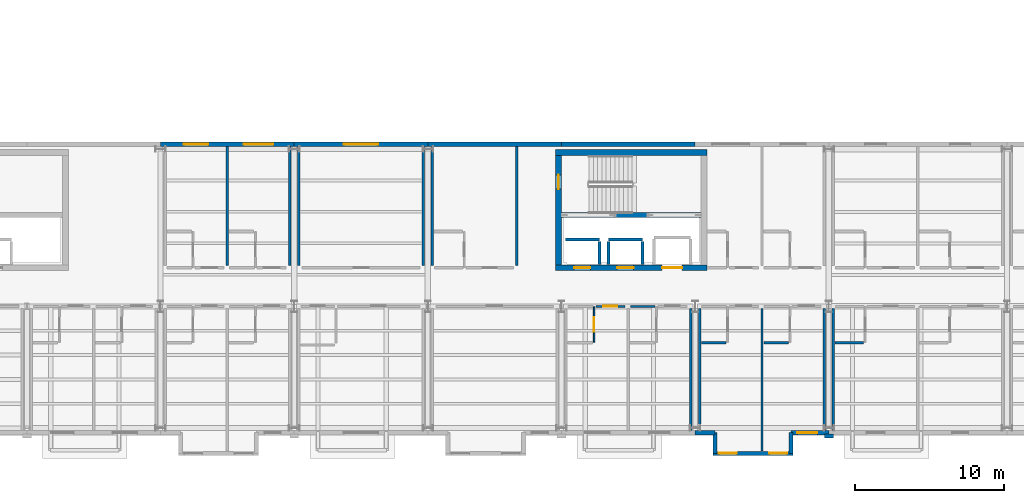
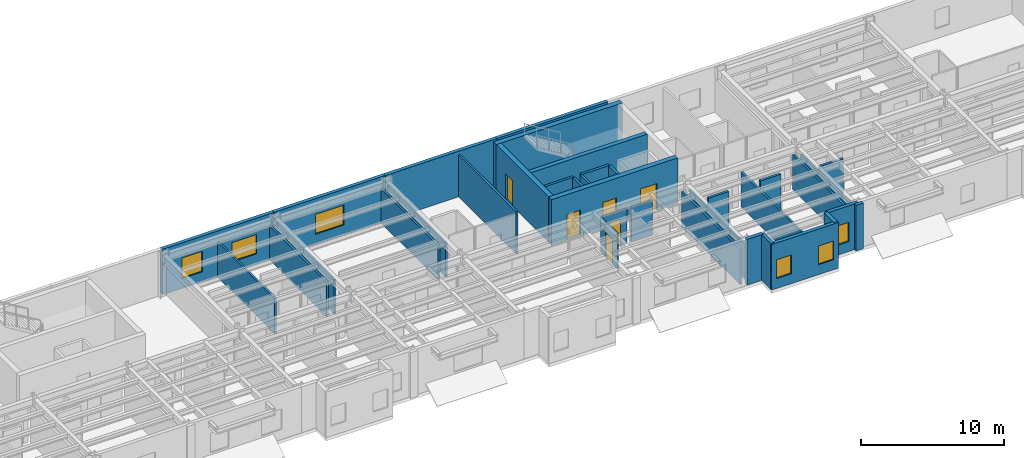
# One storey, part 29 of 46: 36 walls, 6 doors, 6 windows, 12 openings.
"""IFC4 building model written with IfcOpenShell, lengths in metres."""

from ifc_helpers import new_model, si_unit, direction, frame, frame_2d, origin, place, context, subcontext, project, spatial, rectangle, extrude, material, layer, layer_set, type_object, element, fill, save


model = new_model("IFC4")

# Units and contexts
model_context = context("Model", 3, precision=1e-05, world=origin(), true_north=direction((0.0, 1.0)))
body_context = subcontext(model_context, "Body", "Model", "MODEL_VIEW")
ifc_project = project(units=[si_unit("LENGTHUNIT", "METRE"), si_unit("AREAUNIT", "SQUARE_METRE"), si_unit("VOLUMEUNIT", "CUBIC_METRE"), si_unit("PLANEANGLEUNIT", "RADIAN"), si_unit("MASSUNIT", "GRAM", prefix="KILO")], contexts=[model_context])

# Site, building, storey
site_placement = place(None, origin())
site = spatial("IfcSite", under=ifc_project, at=site_placement, CompositionType="ELEMENT")
building_placement = place(site_placement, origin())
building = spatial("IfcBuilding", under=site, at=building_placement, Name="Sollismere Congress Hotel", CompositionType="ELEMENT")
storey_placement = place(building_placement, frame((0.0, 0.0, 19.5)))
storey = spatial("IfcBuildingStorey", under=building, at=storey_placement, Name="L04", CompositionType="ELEMENT", Elevation=19.5)

# Wall
ifc_material_1 = material(Name="Colorado Buff Sandstone Rainscreen on Insulated Backup", Category="masonry")
ifc_layer_1 = layer(ifc_material_1, 0.284912109375, Name="Colorado Buff Sandstone Rainscreen on Insulated Backup")
ifc_layer_set_1 = layer_set([ifc_layer_1], Name="Colorado Buff Sandstone Rainscreen on Insulated Backup")
wall_type_1 = type_object("IfcWallType", Name="WL-EXT285", PredefinedType="STANDARD", material=ifc_layer_set_1)
wall_1_placement = place(storey_placement, frame((103.0, -0.31005859375, 0.0), z_axis=(0.0, 0.0, 1.0), x_axis=(1.0, 0.0, 0.0)))
element("IfcWall", 1, at=wall_1_placement, inside=storey, type_object=wall_type_1, Name="Exterior wall EW-L04-498", PredefinedType="STANDARD", context=body_context, shape_type="SweptSolid", body=[
    extrude(rectangle(XDim=1.340087890625, YDim=0.284912109375, at=frame_2d((0.669921875, 0.0))), origin(), (0.0, 0.0, 1.0), 3.89990234375),
])

# Wall, opening, window
wall_2_placement = place(storey_placement, frame((109.4599609375, -0.31005859375, 0.0), z_axis=(0.0, 0.0, 1.0), x_axis=(1.0, 0.0, 0.0)))
wall_2 = element("IfcWall", 2, at=wall_2_placement, inside=storey, type_object=wall_type_1, Name="Exterior wall EW-L04-499", PredefinedType="STANDARD", context=body_context, shape_type="SweptSolid", body=[
    extrude(rectangle(XDim=2.5400390625, YDim=0.284912109375, at=frame_2d((1.27001953125, 0.0))), origin(), (0.0, 0.0, 1.0), 3.89990234375),
])
opening_1_placement = place(wall_2_placement, frame((0.419921875, 0.0, 0.85009765625)))
opening_1 = element("IfcOpeningElement", 3, at=opening_1_placement, cuts=wall_2, Name="Opening W-L04-382", PredefinedType="OPENING", context=body_context, shape_type="SweptSolid", body=[
    extrude(rectangle(XDim=1.35009765625, YDim=1.64990234375, at=frame_2d((0.675048828125, 0.824951171875))), frame((0.0, 0.15234375, 0.0), z_axis=(0.0, -1.0, 0.0), x_axis=(1.0, 0.0, 0.0)), (0.0, 0.0, 1.0), 0.304931640625),
])
ifc_material_2 = material(Name="Thermally Broken Bronze Aluminum & Low-E Glass", Category="aluminium")
window_type_1 = type_object("IfcWindowType", Name="WN-P135x165", PartitioningType="SINGLE_PANEL", PredefinedType="WINDOW", material=ifc_material_2)
window_1_placement = place(opening_1_placement, origin())
window_1 = element("IfcWindow", 4, at=window_1_placement, inside=storey, type_object=window_type_1, Name="WIN-W-L04-382", OverallHeight=1.64990234375, OverallWidth=1.35009765625, PartitioningType="SINGLE_PANEL", PredefinedType="WINDOW", context=body_context, shape_type="SweptSolid", body=[
    extrude(rectangle(XDim=1.35009765625, YDim=1.64990234375, at=frame_2d((0.675048828125, 0.824951171875))), frame((0.0, 0.030029296875, 0.0), z_axis=(0.0, -1.0, 0.0), x_axis=(1.0, 0.0, 0.0)), (0.0, 0.0, 1.0), 0.06005859375),
])
fill(opening_1, window_1)

# Wall, openings, windows
wall_3_placement = place(storey_placement, frame((104.199951171875, -1.699951171875, 0.0), z_axis=(0.0, 0.0, 1.0), x_axis=(1.0, 0.0, 0.0)))
wall_3 = element("IfcWall", 5, at=wall_3_placement, inside=storey, type_object=wall_type_1, Name="Exterior wall EW-L04-500", PredefinedType="STANDARD", context=body_context, shape_type="SweptSolid", body=[
    extrude(rectangle(XDim=5.400146484375, YDim=0.284912109375, at=frame_2d((2.7001953125, 0.0))), origin(), (0.0, 0.0, 1.0), 3.89990234375),
])
opening_2_placement = place(wall_3_placement, frame((0.39990234375, 0.0, 0.85009765625)))
opening_2 = element("IfcOpeningElement", 6, at=opening_2_placement, cuts=wall_3, Name="Opening W-L04-383", PredefinedType="OPENING", context=body_context, shape_type="SweptSolid", body=[
    extrude(rectangle(XDim=1.199951171875, YDim=1.60009765625, at=frame_2d((0.60009765625, 0.800048828125))), frame((0.0, 0.15234375, 0.0), z_axis=(0.0, -1.0, 0.0), x_axis=(1.0, 0.0, 0.0)), (0.0, 0.0, 1.0), 0.304931640625),
])
opening_3_placement = place(wall_3_placement, frame((3.800048828125, 0.0, 0.85009765625)))
opening_3 = element("IfcOpeningElement", 7, at=opening_3_placement, cuts=wall_3, Name="Opening W-L04-384", PredefinedType="OPENING", context=body_context, shape_type="SweptSolid", body=[
    extrude(rectangle(XDim=1.199951171875, YDim=1.60009765625, at=frame_2d((0.60009765625, 0.800048828125))), frame((0.0, 0.15234375, 0.0), z_axis=(0.0, -1.0, 0.0), x_axis=(1.0, 0.0, 0.0)), (0.0, 0.0, 1.0), 0.304931640625),
])
window_type_2 = type_object("IfcWindowType", Name="WN-P120x160", PartitioningType="SINGLE_PANEL", PredefinedType="WINDOW", material=ifc_material_2)
window_2_placement = place(opening_2_placement, origin())
window_2 = element("IfcWindow", 8, at=window_2_placement, inside=storey, type_object=window_type_2, Name="WIN-W-L04-383", OverallHeight=1.60009765625, OverallWidth=1.199951171875, PartitioningType="SINGLE_PANEL", PredefinedType="WINDOW", context=body_context, shape_type="SweptSolid", body=[
    extrude(rectangle(XDim=1.199951171875, YDim=1.60009765625, at=frame_2d((0.60009765625, 0.800048828125))), frame((0.0, 0.030029296875, 0.0), z_axis=(0.0, -1.0, 0.0), x_axis=(1.0, 0.0, 0.0)), (0.0, 0.0, 1.0), 0.06005859375),
])
fill(opening_2, window_2)
window_3_placement = place(opening_3_placement, origin())
window_3 = element("IfcWindow", 9, at=window_3_placement, inside=storey, type_object=window_type_2, Name="WIN-W-L04-384", OverallHeight=1.60009765625, OverallWidth=1.199951171875, PartitioningType="SINGLE_PANEL", PredefinedType="WINDOW", context=body_context, shape_type="SweptSolid", body=[
    extrude(rectangle(XDim=1.199951171875, YDim=1.60009765625, at=frame_2d((0.60009765625, 0.800048828125))), frame((0.0, 0.030029296875, 0.0), z_axis=(0.0, -1.0, 0.0), x_axis=(1.0, 0.0, 0.0)), (0.0, 0.0, 1.0), 0.06005859375),
])
fill(opening_3, window_3)

# Walls
for number, where, z_axis, x_axis, name in (
    (10, (104.340087890625, -0.31005859375, 0.0), (0.0, 0.0, 1.0), (0.0, -1.0, 0.0), "Exterior wall EW-L04-501"),
    (11, (109.4599609375, -1.699951171875, 0.0), (0.0, 0.0, 1.0), (0.0, 1.0, 0.0), "Exterior wall EW-L04-502"),
):
    element("IfcWall", number, at=place(storey_placement, frame(where, z_axis=z_axis, x_axis=x_axis)), inside=storey, type_object=wall_type_1, Name=name, PredefinedType="STANDARD", context=body_context, shape_type="SweptSolid", body=[
        extrude(rectangle(XDim=1.389892578125, YDim=0.284912109375, at=frame_2d((0.69482421875, 0.0))), origin(), (0.0, 0.0, 1.0), 3.89990234375),
    ])

# Wall, openings, windows
wall_4_placement = place(storey_placement, frame((76.0, 19.110107421875, 0.0), z_axis=(0.0, 0.0, 1.0), x_axis=(-1.0, 0.0, 0.0)))
wall_4 = element("IfcWall", 12, at=wall_4_placement, inside=storey, type_object=wall_type_1, Name="Exterior wall EW-L04-548", PredefinedType="STANDARD", context=body_context, shape_type="SweptSolid", body=[
    extrude(rectangle(XDim=9.0, YDim=0.284912109375, at=frame_2d((4.5, 0.0))), origin(), (0.0, 0.0, 1.0), 3.89990234375),
])
opening_4_placement = place(wall_4_placement, frame((5.77490234375, 0.0, 0.85009765625)))
opening_4 = element("IfcOpeningElement", 13, at=opening_4_placement, cuts=wall_4, Name="Opening W-L04-409", PredefinedType="OPENING", context=body_context, shape_type="SweptSolid", body=[
    extrude(rectangle(XDim=1.64990234375, YDim=1.75, at=frame_2d((0.824951171875, 0.875))), frame((0.0, 0.15234375, 0.0), z_axis=(0.0, -1.0, 0.0), x_axis=(1.0, 0.0, 0.0)), (0.0, 0.0, 1.0), 0.304931640625),
])
opening_5_placement = place(wall_4_placement, frame((1.39990234375, 0.0, 0.85009765625)))
opening_5 = element("IfcOpeningElement", 14, at=opening_5_placement, cuts=wall_4, Name="Opening W-L04-410", PredefinedType="OPENING", context=body_context, shape_type="SweptSolid", body=[
    extrude(rectangle(XDim=2.0, YDim=1.64990234375, at=frame_2d((1.0, 0.824951171875))), frame((0.0, 0.15234375, 0.0), z_axis=(0.0, -1.0, 0.0), x_axis=(1.0, 0.0, 0.0)), (0.0, 0.0, 1.0), 0.304931640625),
])
window_type_3 = type_object("IfcWindowType", Name="WN-P165x175", PartitioningType="SINGLE_PANEL", PredefinedType="WINDOW", material=ifc_material_2)
window_4_placement = place(opening_4_placement, origin())
window_4 = element("IfcWindow", 15, at=window_4_placement, inside=storey, type_object=window_type_3, Name="WIN-W-L04-409", OverallHeight=1.75, OverallWidth=1.64990234375, PartitioningType="SINGLE_PANEL", PredefinedType="WINDOW", context=body_context, shape_type="SweptSolid", body=[
    extrude(rectangle(XDim=1.64990234375, YDim=1.75, at=frame_2d((0.824951171875, 0.875))), frame((0.0, 0.030029296875, 0.0), z_axis=(0.0, -1.0, 0.0), x_axis=(1.0, 0.0, 0.0)), (0.0, 0.0, 1.0), 0.06005859375),
])
fill(opening_4, window_4)
window_type_4 = type_object("IfcWindowType", Name="WN-P200x165", PartitioningType="SINGLE_PANEL", PredefinedType="WINDOW", material=ifc_material_2)
window_5_placement = place(opening_5_placement, origin())
window_5 = element("IfcWindow", 16, at=window_5_placement, inside=storey, type_object=window_type_4, Name="WIN-W-L04-410", OverallHeight=1.64990234375, OverallWidth=2.0, PartitioningType="SINGLE_PANEL", PredefinedType="WINDOW", context=body_context, shape_type="SweptSolid", body=[
    extrude(rectangle(XDim=2.0, YDim=1.64990234375, at=frame_2d((1.0, 0.824951171875))), frame((0.0, 0.030029296875, 0.0), z_axis=(0.0, -1.0, 0.0), x_axis=(1.0, 0.0, 0.0)), (0.0, 0.0, 1.0), 0.06005859375),
])
fill(opening_5, window_5)

# Wall, opening, window
wall_5_placement = place(storey_placement, frame((85.0, 19.110107421875, 0.0), z_axis=(0.0, 0.0, 1.0), x_axis=(-1.0, 0.0, 0.0)))
wall_5 = element("IfcWall", 17, at=wall_5_placement, inside=storey, type_object=wall_type_1, Name="Exterior wall EW-L04-549", PredefinedType="STANDARD", context=body_context, shape_type="SweptSolid", body=[
    extrude(rectangle(XDim=9.0, YDim=0.284912109375, at=frame_2d((4.5, 0.0))), origin(), (0.0, 0.0, 1.0), 3.89990234375),
])
opening_6_placement = place(wall_5_placement, frame((3.35009765625, 0.0, 0.85009765625)))
opening_6 = element("IfcOpeningElement", 18, at=opening_6_placement, cuts=wall_5, Name="Opening W-L04-411", PredefinedType="OPENING", context=body_context, shape_type="SweptSolid", body=[
    extrude(rectangle(XDim=2.300048828125, YDim=1.699951171875, at=frame_2d((1.14990234375, 0.85009765625))), frame((0.0, 0.15234375, 0.0), z_axis=(0.0, -1.0, 0.0), x_axis=(1.0, 0.0, 0.0)), (0.0, 0.0, 1.0), 0.304931640625),
])
window_type_5 = type_object("IfcWindowType", Name="WN-P230x170", PartitioningType="SINGLE_PANEL", PredefinedType="WINDOW", material=ifc_material_2)
window_6_placement = place(opening_6_placement, origin())
window_6 = element("IfcWindow", 19, at=window_6_placement, inside=storey, type_object=window_type_5, Name="WIN-W-L04-411", OverallHeight=1.699951171875, OverallWidth=2.300048828125, PartitioningType="SINGLE_PANEL", PredefinedType="WINDOW", context=body_context, shape_type="SweptSolid", body=[
    extrude(rectangle(XDim=2.300048828125, YDim=1.699951171875, at=frame_2d((1.14990234375, 0.85009765625))), frame((0.0, 0.030029296875, 0.0), z_axis=(0.0, -1.0, 0.0), x_axis=(1.0, 0.0, 0.0)), (0.0, 0.0, 1.0), 0.06005859375),
])
fill(opening_6, window_6)

# Walls
for number, where, z_axis, x_axis, name in (
    (20, (94.0, 19.110107421875, 0.0), (0.0, 0.0, 1.0), (-1.0, 0.0, 0.0), "Exterior wall EW-L04-550"),
    (21, (103.0, 19.110107421875, 0.0), (0.0, 0.0, 1.0), (-1.0, 0.0, 0.0), "Exterior wall EW-L04-551"),
):
    element("IfcWall", number, at=place(storey_placement, frame(where, z_axis=z_axis, x_axis=x_axis)), inside=storey, type_object=wall_type_1, Name=name, PredefinedType="STANDARD", context=body_context, shape_type="SweptSolid", body=[
        extrude(rectangle(XDim=9.0, YDim=0.284912109375, at=frame_2d((4.5, 0.0))), origin(), (0.0, 0.0, 1.0), 3.89990234375),
    ])
ifc_material_3 = material(Name="Carved Travertine Pilaster & Frieze Assembly", Category="masonry")
ifc_layer_2 = layer(ifc_material_3, 0.260009765625, Name="Carved Travertine Pilaster & Frieze Assembly")
ifc_layer_set_2 = layer_set([ifc_layer_2], Name="Carved Travertine Pilaster & Frieze Assembly")
wall_type_2 = type_object("IfcWallType", Name="WL-PIL280", PredefinedType="ELEMENTEDWALL", material=ifc_layer_set_2)
wall_6_placement = place(storey_placement, frame((111.699951171875, -0.52001953125, 0.0), z_axis=(0.0, 0.0, 1.0), x_axis=(1.0, 0.0, 0.0)))
element("IfcWall", 22, at=wall_6_placement, inside=storey, type_object=wall_type_2, Name="Exterior wall EW-L04-504", PredefinedType="ELEMENTEDWALL", context=body_context, shape_type="SweptSolid", body=[
    extrude(rectangle(XDim=0.60009765625, YDim=0.260009765625, at=frame_2d((0.300048828125, 0.0))), origin(), (0.0, 0.0, 1.0), 3.89990234375),
])
ifc_material_4 = material(Name="Moisture-Resistant Shaft Gypsum Assembly")
ifc_layer_3 = layer(ifc_material_4, 0.199951171875, Name="Moisture-Resistant Shaft Gypsum Assembly")
ifc_layer_set_3 = layer_set([ifc_layer_3], Name="Moisture-Resistant Shaft Gypsum Assembly")
wall_type_3 = type_object("IfcWallType", Name="WL-PLM200", PredefinedType="PLUMBINGWALL", material=ifc_layer_set_3)
wall_7_placement = place(storey_placement, frame((94.2548828125, 12.68994140625, 0.0), z_axis=(0.0, 0.0, 1.0), x_axis=(1.0, 0.0, 0.0)))
element("IfcWall", 23, at=wall_7_placement, inside=storey, type_object=wall_type_3, Name="Interior wall IW-L04-0279", PredefinedType="PLUMBINGWALL", context=body_context, shape_type="SweptSolid", body=[
    extrude(rectangle(XDim=2.2900390625, YDim=0.199951171875, at=frame_2d((1.14501953125, 0.0))), origin(), (0.0, 0.0, 1.0), 3.5849609375),
])
wall_8_placement = place(storey_placement, frame((96.544921875, 11.011962890625, 0.0), z_axis=(0.0, 0.0, 1.0), x_axis=(0.0, 1.0, 0.0)))
element("IfcWall", 24, at=wall_8_placement, inside=storey, type_object=wall_type_3, Name="Interior wall IW-L04-0280", PredefinedType="PLUMBINGWALL", context=body_context, shape_type="SweptSolid", body=[
    extrude(rectangle(XDim=1.56591796875, YDim=0.199951171875, at=frame_2d((0.782958984375, 0.0))), origin(), (0.0, 0.0, 1.0), 3.5849609375),
])
wall_9_placement = place(storey_placement, frame((97.155029296875, 12.68994140625, 0.0), z_axis=(0.0, 0.0, 1.0), x_axis=(1.0, 0.0, 0.0)))
element("IfcWall", 25, at=wall_9_placement, inside=storey, type_object=wall_type_3, Name="Interior wall IW-L04-0281", PredefinedType="PLUMBINGWALL", context=body_context, shape_type="SweptSolid", body=[
    extrude(rectangle(XDim=2.2900390625, YDim=0.199951171875, at=frame_2d((1.14501953125, 0.0))), origin(), (0.0, 0.0, 1.0), 3.5849609375),
])
for number, where, z_axis, x_axis, name in (
    (26, (97.155029296875, 11.011962890625, 0.0), (0.0, 0.0, 1.0), (0.0, 1.0, 0.0), "Interior wall IW-L04-0282"),
    (27, (99.445068359375, 11.011962890625, 0.0), (0.0, 0.0, 1.0), (0.0, 1.0, 0.0), "Interior wall IW-L04-0283"),
):
    element("IfcWall", number, at=place(storey_placement, frame(where, z_axis=z_axis, x_axis=x_axis)), inside=storey, type_object=wall_type_3, Name=name, PredefinedType="PLUMBINGWALL", context=body_context, shape_type="SweptSolid", body=[
        extrude(rectangle(XDim=1.56591796875, YDim=0.199951171875, at=frame_2d((0.782958984375, 0.0))), origin(), (0.0, 0.0, 1.0), 3.5849609375),
    ])
wall_10_placement = place(storey_placement, frame((103.419921875, 5.75, 0.0), z_axis=(0.0, 0.0, 1.0), x_axis=(1.0, 0.0, 0.0)))
element("IfcWall", 28, at=wall_10_placement, inside=storey, type_object=wall_type_3, Name="Interior wall IW-L04-1583", PredefinedType="PLUMBINGWALL", context=body_context, shape_type="SweptSolid", body=[
    extrude(rectangle(XDim=1.650146484375, YDim=0.199951171875, at=frame_2d((0.8251953125, 0.0))), origin(), (0.0, 0.0, 1.0), 3.5849609375),
])
wall_11_placement = place(storey_placement, frame((107.6201171875, 5.75, 0.0), z_axis=(0.0, 0.0, 1.0), x_axis=(1.0, 0.0, 0.0)))
element("IfcWall", 29, at=wall_11_placement, inside=storey, type_object=wall_type_3, Name="Interior wall IW-L04-1588", PredefinedType="PLUMBINGWALL", context=body_context, shape_type="SweptSolid", body=[
    extrude(rectangle(XDim=1.64990234375, YDim=0.199951171875, at=frame_2d((0.824951171875, 0.0))), origin(), (0.0, 0.0, 1.0), 3.5849609375),
])
wall_12_placement = place(storey_placement, frame((112.419921875, 5.75, 0.0), z_axis=(0.0, 0.0, 1.0), x_axis=(1.0, 0.0, 0.0)))
element("IfcWall", 30, at=wall_12_placement, inside=storey, type_object=wall_type_3, Name="Interior wall IW-L04-1604", PredefinedType="PLUMBINGWALL", context=body_context, shape_type="SweptSolid", body=[
    extrude(rectangle(XDim=1.91015625, YDim=0.199951171875, at=frame_2d((0.955078125, 0.0))), origin(), (0.0, 0.0, 1.0), 3.137939453125),
])

# Wall, opening, door
ifc_material_5 = material(Name="Moisture-Resistant Gypsum Partition")
ifc_layer_4 = layer(ifc_material_5, 0.10009765625, Name="Moisture-Resistant Gypsum Partition")
ifc_layer_set_4 = layer_set([ifc_layer_4], Name="Moisture-Resistant Gypsum Partition")
wall_type_4 = type_object("IfcWallType", Name="WL-PRT100", PredefinedType="PARTITIONING", material=ifc_layer_set_4)
wall_13_placement = place(storey_placement, frame((96.18994140625, 5.7900390625, 0.0), z_axis=(0.0, 0.0, 1.0), x_axis=(0.0, 1.0, 0.0)))
wall_13 = element("IfcWall", 31, at=wall_13_placement, inside=storey, type_object=wall_type_4, Name="Interior wall IW-L04-1571", PredefinedType="PARTITIONING", context=body_context, shape_type="SweptSolid", body=[
    extrude(rectangle(XDim=2.369873046875, YDim=0.10009765625, at=frame_2d((1.18505859375, 0.0))), origin(), (0.0, 0.0, 1.0), 2.998046875),
])
opening_7_placement = place(wall_13_placement, frame((0.7080078125, 0.0, 0.0)))
opening_7 = element("IfcOpeningElement", 32, at=opening_7_placement, cuts=wall_13, Name="Opening D-L04-0554", PredefinedType="OPENING", context=body_context, shape_type="SweptSolid", body=[
    extrude(rectangle(XDim=0.955078125, YDim=2.139892578125, at=frame_2d((0.4775390625, 1.06982421875))), frame((0.0, 0.06005859375, 0.0), z_axis=(0.0, -1.0, 0.0), x_axis=(1.0, 0.0, 0.0)), (0.0, 0.0, 1.0), 0.1201171875),
])
ifc_material_6 = material(Name="Moisture-Sealed Timber Bathroom Door", Category="wood")
door_type_1 = type_object("IfcDoorType", Name="DR-BT04", OperationType="NOTDEFINED", PredefinedType="DOOR", material=ifc_material_6)
door_1_placement = place(opening_7_placement, origin())
door_1 = element("IfcDoor", 33, at=door_1_placement, inside=storey, type_object=door_type_1, Name="En-suite bathroom door D-L04-0554", OperationType="SINGLE_SWING_LEFT", OverallHeight=2.139892578125, OverallWidth=0.955078125, PredefinedType="DOOR", context=body_context, shape_type="SweptSolid", body=[
    extrude(rectangle(XDim=0.955078125, YDim=2.139892578125, at=frame_2d((0.4775390625, 1.06982421875))), frame((0.0, 0.02490234375, 0.0), z_axis=(0.0, -1.0, 0.0), x_axis=(1.0, 0.0, 0.0)), (0.0, 0.0, 1.0), 0.050048828125),
])
fill(opening_7, door_1)

ifc_material_7 = material(Name="Fire-Rated Gypsum Partition")
ifc_layer_5 = layer(ifc_material_7, 0.139892578125, Name="Fire-Rated Gypsum Partition")
ifc_layer_set_5 = layer_set([ifc_layer_5], Name="Fire-Rated Gypsum Partition")
wall_type_5 = type_object("IfcWallType", Name="WL-PRT140R", PredefinedType="PARTITIONING", material=ifc_layer_set_5)
wall_14_placement = place(storey_placement, frame((96.31005859375, 8.199951171875, 0.0), z_axis=(0.0, 0.0, 1.0), x_axis=(1.0, 0.0, 0.0)))
wall_14 = element("IfcWall", 34, at=wall_14_placement, inside=storey, type_object=wall_type_5, Name="Interior wall IW-L04-1568", PredefinedType="PARTITIONING", context=body_context, shape_type="SweptSolid", body=[
    extrude(rectangle(XDim=1.949951171875, YDim=0.139892578125, at=frame_2d((0.97509765625, 0.0))), origin(), (0.0, 0.0, 1.0), 2.998046875),
])
opening_8_placement = place(wall_14_placement, frame((0.5, 0.0, 0.0)))
opening_8 = element("IfcOpeningElement", 35, at=opening_8_placement, cuts=wall_14, Name="Opening D-L04-0553", PredefinedType="OPENING", context=body_context, shape_type="SweptSolid", body=[
    extrude(rectangle(XDim=0.949951171875, YDim=2.300048828125, at=frame_2d((0.47509765625, 1.14990234375))), frame((0.0, 0.079833984375, 0.0), z_axis=(0.0, -1.0, 0.0), x_axis=(1.0, 0.0, 0.0)), (0.0, 0.0, 1.0), 0.159912109375),
])
ifc_material_8 = material(Name="Solid-Core Acoustic Walnut Guestroom Entry Door")
door_type_2 = type_object("IfcDoorType", Name="DR-KY08", OperationType="NOTDEFINED", PredefinedType="DOOR", material=ifc_material_8)
door_2_placement = place(opening_8_placement, origin())
door_2 = element("IfcDoor", 36, at=door_2_placement, inside=storey, type_object=door_type_2, Name="Hotel room entry door D-L04-0553", OperationType="SINGLE_SWING_RIGHT", OverallHeight=2.300048828125, OverallWidth=0.949951171875, PredefinedType="DOOR", context=body_context, shape_type="SweptSolid", body=[
    extrude(rectangle(XDim=0.949951171875, YDim=2.300048828125, at=frame_2d((0.47509765625, 1.14990234375))), frame((0.0, 0.02490234375, 0.0), z_axis=(0.0, -1.0, 0.0), x_axis=(1.0, 0.0, 0.0)), (0.0, 0.0, 1.0), 0.050048828125),
])
fill(opening_8, door_2)

# Walls
wall_15_placement = place(storey_placement, frame((98.639892578125, 8.199951171875, 0.0), z_axis=(0.0, 0.0, 1.0), x_axis=(1.0, 0.0, 0.0)))
element("IfcWall", 37, at=wall_15_placement, inside=storey, type_object=wall_type_5, Name="Interior wall IW-L04-1573", PredefinedType="PARTITIONING", context=body_context, shape_type="SweptSolid", body=[
    extrude(rectangle(XDim=1.670166015625, YDim=0.139892578125, at=frame_2d((0.8349609375, 0.0))), origin(), (0.0, 0.0, 1.0), 2.998046875),
])
ifc_material_9 = material(Name="Fire-Rated Acoustic Gypsum Partition")
ifc_layer_6 = layer(ifc_material_9, 0.1650390625, Name="Fire-Rated Acoustic Gypsum Partition")
ifc_layer_set_6 = layer_set([ifc_layer_6], Name="Fire-Rated Acoustic Gypsum Partition")
wall_type_6 = type_object("IfcWallType", Name="WL-PRT165R", PredefinedType="PARTITIONING", material=ifc_layer_set_6)
wall_16_placement = place(storey_placement, frame((71.5, 10.93994140625, 0.0), z_axis=(0.0, 0.0, 1.0), x_axis=(0.0, 1.0, 0.0)))
element("IfcWall", 38, at=wall_16_placement, inside=storey, type_object=wall_type_6, Name="Interior wall IW-L04-1553", PredefinedType="PARTITIONING", context=body_context, shape_type="SweptSolid", body=[
    extrude(rectangle(XDim=8.012451171875, YDim=0.1650390625, at=frame_2d((4.00634765625, 0.0))), origin(), (0.0, 0.0, 1.0), 2.998046875),
])
for number, where, z_axis, x_axis, name in (
    (39, (75.699951171875, 10.93994140625, 0.0), (0.0, 0.0, 1.0), (0.0, 1.0, 0.0), "Interior wall IW-L04-1558"),
    (40, (85.300048828125, 10.93994140625, 0.0), (0.0, 0.0, 1.0), (0.0, 1.0, 0.0), "Interior wall IW-L04-1563"),
):
    element("IfcWall", number, at=place(storey_placement, frame(where, z_axis=z_axis, x_axis=x_axis)), inside=storey, type_object=wall_type_6, Name=name, PredefinedType="PARTITIONING", context=body_context, shape_type="SweptSolid", body=[
        extrude(rectangle(XDim=8.012451171875, YDim=0.1650390625, at=frame_2d((4.00634765625, 0.0))), origin(), (0.0, 0.0, 1.0), 2.9140625),
    ])
wall_17_placement = place(storey_placement, frame((91.0, 10.93994140625, 0.0), z_axis=(0.0, 0.0, 1.0), x_axis=(0.0, 1.0, 0.0)))
element("IfcWall", 41, at=wall_17_placement, inside=storey, type_object=wall_type_6, Name="Interior wall IW-L04-1564", PredefinedType="PARTITIONING", context=body_context, shape_type="SweptSolid", body=[
    extrude(rectangle(XDim=8.012451171875, YDim=0.1650390625, at=frame_2d((4.00634765625, 0.0))), origin(), (0.0, 0.0, 1.0), 3.5849609375),
])
for number, where, z_axis, x_axis, name in (
    (42, (102.699951171875, -0.152587890625, 0.0), (0.0, 0.0, 1.0), (0.0, 1.0, 0.0), "Interior wall IW-L04-1575"),
    (43, (103.300048828125, -0.152587890625, 0.0), (0.0, 0.0, 1.0), (0.0, 1.0, 0.0), "Interior wall IW-L04-1580"),
):
    element("IfcWall", number, at=place(storey_placement, frame(where, z_axis=z_axis, x_axis=x_axis)), inside=storey, type_object=wall_type_6, Name=name, PredefinedType="PARTITIONING", context=body_context, shape_type="SweptSolid", body=[
        extrude(rectangle(XDim=8.212646484375, YDim=0.1650390625, at=frame_2d((4.1064453125, 0.0))), origin(), (0.0, 0.0, 1.0), 2.97509765625),
    ])
wall_18_placement = place(storey_placement, frame((107.5, -1.54248046875, 0.0), z_axis=(0.0, 0.0, 1.0), x_axis=(0.0, 1.0, 0.0)))
element("IfcWall", 44, at=wall_18_placement, inside=storey, type_object=wall_type_6, Name="Interior wall IW-L04-1581", PredefinedType="PARTITIONING", context=body_context, shape_type="SweptSolid", body=[
    extrude(rectangle(XDim=9.6025390625, YDim=0.1650390625, at=frame_2d((4.80126953125, 0.0))), origin(), (0.0, 0.0, 1.0), 2.97509765625),
])
wall_19_placement = place(storey_placement, frame((111.699951171875, -0.152587890625, 0.0), z_axis=(0.0, 0.0, 1.0), x_axis=(0.0, 1.0, 0.0)))
element("IfcWall", 45, at=wall_19_placement, inside=storey, type_object=wall_type_6, Name="Interior wall IW-L04-1586", PredefinedType="PARTITIONING", context=body_context, shape_type="SweptSolid", body=[
    extrude(rectangle(XDim=8.212646484375, YDim=0.1650390625, at=frame_2d((4.1064453125, 0.0))), origin(), (0.0, 0.0, 1.0), 2.97509765625),
])
wall_20_placement = place(storey_placement, frame((112.300048828125, -0.152587890625, 0.0), z_axis=(0.0, 0.0, 1.0), x_axis=(0.0, 1.0, 0.0)))
element("IfcWall", 46, at=wall_20_placement, inside=storey, type_object=wall_type_6, Name="Interior wall IW-L04-1601", PredefinedType="PARTITIONING", context=body_context, shape_type="SweptSolid", body=[
    extrude(rectangle(XDim=8.212646484375, YDim=0.1650390625, at=frame_2d((4.1064453125, 0.0))), origin(), (0.0, 0.0, 1.0), 2.822998046875),
])
for number, where, z_axis, x_axis, name in (
    (47, (76.300048828125, 10.93994140625, 0.0), (0.0, 0.0, 1.0), (0.0, 1.0, 0.0), "Interior wall IW-L04-1716"),
    (48, (84.699951171875, 10.93994140625, 0.0), (0.0, 0.0, 1.0), (0.0, 1.0, 0.0), "Interior wall IW-L04-1717"),
):
    element("IfcWall", number, at=place(storey_placement, frame(where, z_axis=z_axis, x_axis=x_axis)), inside=storey, type_object=wall_type_6, Name=name, PredefinedType="PARTITIONING", context=body_context, shape_type="SweptSolid", body=[
        extrude(rectangle(XDim=8.012451171875, YDim=0.1650390625, at=frame_2d((4.00634765625, 0.0))), origin(), (0.0, 0.0, 1.0), 2.9140625),
    ])
ifc_material_10 = material(Name="Concrete C50/60", Category="concrete")
ifc_layer_7 = layer(ifc_material_10, 0.35009765625, Name="Concrete C50/60")
ifc_layer_set_7 = layer_set([ifc_layer_7], Name="Concrete C50/60")
wall_type_7 = type_object("IfcWallType", Name="WL-SHR350", PredefinedType="SHEAR", material=ifc_layer_set_7)
wall_21_placement = place(storey_placement, frame((94.0, 14.35009765625, 0.0), z_axis=(0.0, 0.0, 1.0), x_axis=(1.0, 0.0, 0.0)))
element("IfcWall", 49, at=wall_21_placement, inside=storey, type_object=wall_type_7, Name="Interior wall IW-L04-0278", PredefinedType="SHEAR", context=body_context, shape_type="SweptSolid", body=[
    extrude(rectangle(XDim=9.39990234375, YDim=0.35009765625, at=frame_2d((4.699951171875, 0.0))), origin(), (0.0, 0.0, 1.0), 3.89990234375),
])

# Wall, openings, doors
ifc_layer_8 = layer(ifc_material_10, 0.39990234375, Name="Concrete C50/60")
ifc_layer_set_8 = layer_set([ifc_layer_8], Name="Concrete C50/60")
wall_type_8 = type_object("IfcWallType", Name="WL-SHR400", PredefinedType="SHEAR", material=ifc_layer_set_8)
wall_22_placement = place(storey_placement, frame((93.60009765625, 10.800048828125, 0.0), z_axis=(0.0, 0.0, 1.0), x_axis=(1.0, 0.0, 0.0)))
wall_22 = element("IfcWall", 50, at=wall_22_placement, inside=storey, type_object=wall_type_8, Name="Interior wall IW-L04-0274", PredefinedType="SHEAR", context=body_context, shape_type="SweptSolid", body=[
    extrude(rectangle(XDim=10.199951171875, YDim=0.39990234375, at=frame_2d((5.10009765625, 0.0))), origin(), (0.0, 0.0, 1.0), 3.89990234375),
])
opening_9_placement = place(wall_22_placement, frame((1.25, 0.0, 0.0)))
opening_9 = element("IfcOpeningElement", 51, at=opening_9_placement, cuts=wall_22, Name="Opening LD-LP-03-L04", PredefinedType="OPENING", context=body_context, shape_type="SweptSolid", body=[
    extrude(rectangle(XDim=1.10009765625, YDim=2.199951171875, at=frame_2d((0.550048828125, 1.10009765625))), frame((0.0, 0.2099609375, 0.0), z_axis=(0.0, -1.0, 0.0), x_axis=(1.0, 0.0, 0.0)), (0.0, 0.0, 1.0), 0.419921875),
])
opening_10_placement = place(wall_22_placement, frame((4.14990234375, 0.0, 0.0)))
opening_10 = element("IfcOpeningElement", 52, at=opening_10_placement, cuts=wall_22, Name="Opening LD-LP-04-L04", PredefinedType="OPENING", context=body_context, shape_type="SweptSolid", body=[
    extrude(rectangle(XDim=1.10009765625, YDim=2.199951171875, at=frame_2d((0.550048828125, 1.10009765625))), frame((0.0, 0.2099609375, 0.0), z_axis=(0.0, -1.0, 0.0), x_axis=(1.0, 0.0, 0.0)), (0.0, 0.0, 1.0), 0.419921875),
])
opening_11_placement = place(wall_22_placement, frame((7.175048828125, 0.0, 0.0)))
opening_11 = element("IfcOpeningElement", 53, at=opening_11_placement, cuts=wall_22, Name="Opening LD-LS-01-L04", PredefinedType="OPENING", context=body_context, shape_type="SweptSolid", body=[
    extrude(rectangle(XDim=1.35009765625, YDim=2.300048828125, at=frame_2d((0.675048828125, 1.14990234375))), frame((0.0, 0.2099609375, 0.0), z_axis=(0.0, -1.0, 0.0), x_axis=(1.0, 0.0, 0.0)), (0.0, 0.0, 1.0), 0.419921875),
])
ifc_material_11 = material(Name="Brushed Bronze Sliding Elevator Landing Door")
door_type_3 = type_object("IfcDoorType", Name="DR-LD110", OperationType="NOTDEFINED", PredefinedType="DOOR", material=ifc_material_11)
door_3_placement = place(opening_9_placement, origin())
door_3 = element("IfcDoor", 54, at=door_3_placement, inside=storey, type_object=door_type_3, Name="Elevator landing door LD-LP-03-L04", OperationType="SLIDING_TO_LEFT", OverallHeight=2.199951171875, OverallWidth=1.10009765625, PredefinedType="DOOR", context=body_context, shape_type="SweptSolid", body=[
    extrude(rectangle(XDim=1.10009765625, YDim=2.199951171875, at=frame_2d((0.550048828125, 1.10009765625))), frame((0.0, 0.02490234375, 0.0), z_axis=(0.0, -1.0, 0.0), x_axis=(1.0, 0.0, 0.0)), (0.0, 0.0, 1.0), 0.050048828125),
])
fill(opening_9, door_3)
door_4_placement = place(opening_10_placement, origin())
door_4 = element("IfcDoor", 55, at=door_4_placement, inside=storey, type_object=door_type_3, Name="Elevator landing door LD-LP-04-L04", OperationType="SLIDING_TO_RIGHT", OverallHeight=2.199951171875, OverallWidth=1.10009765625, PredefinedType="DOOR", context=body_context, shape_type="SweptSolid", body=[
    extrude(rectangle(XDim=1.10009765625, YDim=2.199951171875, at=frame_2d((0.550048828125, 1.10009765625))), frame((0.0, 0.02490234375, 0.0), z_axis=(0.0, -1.0, 0.0), x_axis=(1.0, 0.0, 0.0)), (0.0, 0.0, 1.0), 0.050048828125),
])
fill(opening_10, door_4)
ifc_material_12 = material(Name="Heavy-Duty Stainless Sliding Service Landing Door")
door_type_4 = type_object("IfcDoorType", Name="DR-LD135", OperationType="NOTDEFINED", PredefinedType="DOOR", material=ifc_material_12)
door_5_placement = place(opening_11_placement, origin())
door_5 = element("IfcDoor", 56, at=door_5_placement, inside=storey, type_object=door_type_4, Name="Elevator landing door LD-LS-01-L04", OperationType="SLIDING_TO_LEFT", OverallHeight=2.300048828125, OverallWidth=1.35009765625, PredefinedType="DOOR", context=body_context, shape_type="SweptSolid", body=[
    extrude(rectangle(XDim=1.35009765625, YDim=2.300048828125, at=frame_2d((0.675048828125, 1.14990234375))), frame((0.0, 0.02490234375, 0.0), z_axis=(0.0, -1.0, 0.0), x_axis=(1.0, 0.0, 0.0)), (0.0, 0.0, 1.0), 0.050048828125),
])
fill(opening_11, door_5)

# Wall
wall_23_placement = place(storey_placement, frame((103.800048828125, 18.550048828125, 0.0), z_axis=(0.0, 0.0, 1.0), x_axis=(-1.0, 0.0, 0.0)))
element("IfcWall", 57, at=wall_23_placement, inside=storey, type_object=wall_type_8, Name="Interior wall IW-L04-0275", PredefinedType="SHEAR", context=body_context, shape_type="SweptSolid", body=[
    extrude(rectangle(XDim=10.199951171875, YDim=0.39990234375, at=frame_2d((5.10009765625, 0.0))), origin(), (0.0, 0.0, 1.0), 3.89990234375),
])

# Wall, opening, door
wall_24_placement = place(storey_placement, frame((93.800048828125, 18.35009765625, 0.0), z_axis=(0.0, 0.0, 1.0), x_axis=(0.0, -1.0, 0.0)))
wall_24 = element("IfcWall", 58, at=wall_24_placement, inside=storey, type_object=wall_type_8, Name="Interior wall IW-L04-0276", PredefinedType="SHEAR", context=body_context, shape_type="SweptSolid", body=[
    extrude(rectangle(XDim=7.35009765625, YDim=0.39990234375, at=frame_2d((3.675048828125, 0.0))), origin(), (0.0, 0.0, 1.0), 3.89990234375),
])
opening_12_placement = place(wall_24_placement, frame((1.300048828125, 0.0, 0.0)))
opening_12 = element("IfcOpeningElement", 59, at=opening_12_placement, cuts=wall_24, Name="Opening D-ST-02-L04", PredefinedType="OPENING", context=body_context, shape_type="SweptSolid", body=[
    extrude(rectangle(XDim=0.949951171875, YDim=2.199951171875, at=frame_2d((0.47509765625, 1.10009765625))), frame((0.0, 0.2099609375, 0.0), z_axis=(0.0, -1.0, 0.0), x_axis=(1.0, 0.0, 0.0)), (0.0, 0.0, 1.0), 0.419921875),
])
ifc_material_13 = material(Name="Fire-Rated Insulated Steel Door", Category="steel")
door_type_5 = type_object("IfcDoorType", Name="DR-FD90", OperationType="NOTDEFINED", PredefinedType="DOOR", material=ifc_material_13)
door_6_placement = place(opening_12_placement, origin())
door_6 = element("IfcDoor", 60, at=door_6_placement, inside=storey, type_object=door_type_5, Name="Exit stair fire door D-ST-02-L04", OperationType="SINGLE_SWING_LEFT", OverallHeight=2.199951171875, OverallWidth=0.949951171875, PredefinedType="DOOR", context=body_context, shape_type="SweptSolid", body=[
    extrude(rectangle(XDim=0.949951171875, YDim=2.199951171875, at=frame_2d((0.47509765625, 1.10009765625))), frame((0.0, 0.02490234375, 0.0), z_axis=(0.0, -1.0, 0.0), x_axis=(1.0, 0.0, 0.0)), (0.0, 0.0, 1.0), 0.050048828125),
])
fill(opening_12, door_6)

save(model, "model.ifc")
